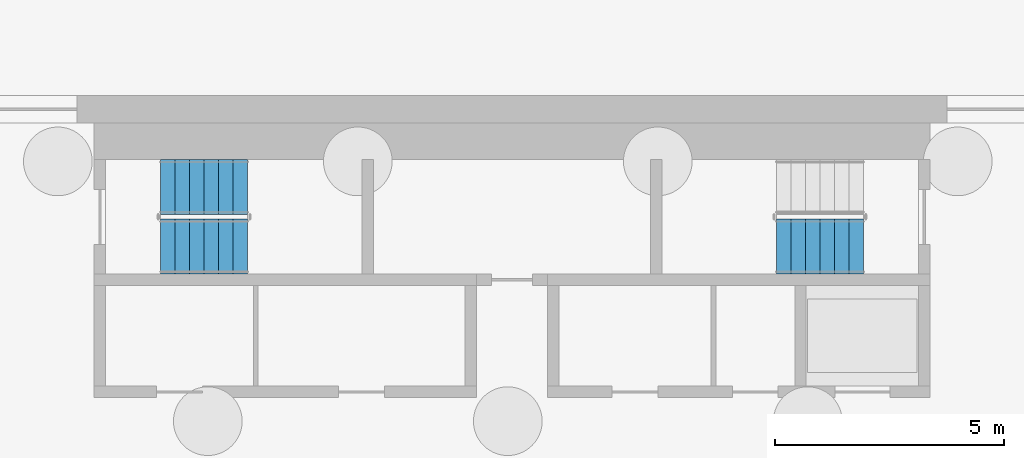
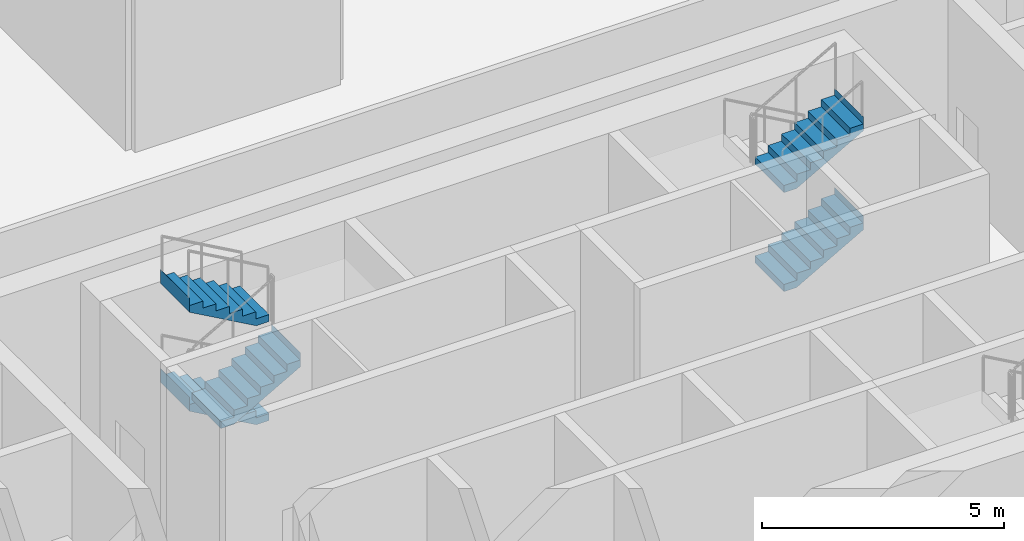
# One storey, part 14 of 19: 5 stair flights, 2 elements without a shape of their own.
"""IFC4 building model written with IfcOpenShell, lengths in metres."""

from ifc_helpers import new_model, si_unit, direction, frame, origin, place, context, subcontext, project, spatial, triangles, material, type_object, element, aggregate, save


model = new_model("IFC4")

# Units and contexts
model_context = context("Model", 3, precision=1e-05, world=origin(), true_north=direction((0.0, 1.0)))
body_context = subcontext(model_context, "Body", "Model", "MODEL_VIEW")
ifc_project = project(units=[si_unit("LENGTHUNIT", "METRE"), si_unit("AREAUNIT", "SQUARE_METRE"), si_unit("VOLUMEUNIT", "CUBIC_METRE"), si_unit("PLANEANGLEUNIT", "RADIAN"), si_unit("MASSUNIT", "GRAM", prefix="KILO")], contexts=[model_context])

# Site, building, storey
site_placement = place(None, origin())
site = spatial("IfcSite", under=ifc_project, at=site_placement, CompositionType="ELEMENT")
building_placement = place(site_placement, origin())
building = spatial("IfcBuilding", under=site, at=building_placement, Name="Sahrelin Media Tower", CompositionType="ELEMENT")
storey_placement = place(building_placement, frame((0.0, 0.0, -5.0)))
storey = spatial("IfcBuildingStorey", under=building, at=storey_placement, Name="B1", CompositionType="ELEMENT", Elevation=-5.0)

# Stair, stair flights
ifc_material = material(Name="Concrete C40/50", Category="concrete")
stair_type = type_object("IfcStairType", Name="Exit stair 1200", PredefinedType="HALF_TURN_STAIR", material=ifc_material)
placement = place(storey_placement, origin())
stair_1 = element("IfcStair", 1, at=placement, inside=storey, type_object=stair_type, Name="B1 Exit stair ST1", PredefinedType="HALF_TURN_STAIR")
stair_flight_type = type_object("IfcStairFlightType", Name="Stair flight 1200", PredefinedType="STRAIGHT", material=ifc_material)
stair_flight_1_placement = place(storey_placement, frame((-5.77490234375, 6.0, 1.25), z_axis=(0.0, 0.0, 1.0), x_axis=(-1.0, 0.0, 0.0)))
stair_flight_1 = element("IfcStairFlight", 2, at=stair_flight_1_placement, type_object=stair_flight_type, Name="ST1 flight 2", NumberOfRisers=7, NumberOfTreads=6, PredefinedType="STRAIGHT", RiserHeight=0.178571429, TreadLength=0.316666667, context=body_context, shape_type="Tessellation", body=[
    triangles([(0.30517578125, 0.60009765625, 0.0), (0.30517578125, 0.300048828125, 0.0), (0.30517578125, 0.0, 0.0), (0.30517578125, -0.300048828125, 0.0), (0.30517578125, -0.60009765625, 0.0), (1.89990234375, 0.60009765625, 0.8994140625), (1.89990234375, 0.300048828125, 0.8994140625), (1.89990234375, 0.0, 0.8994140625), (1.89990234375, -0.300048828125, 0.8994140625), (1.89990234375, -0.60009765625, 0.8994140625), (1.89990234375, 0.60009765625, 1.25), (1.89990234375, 0.300048828125, 1.25), (1.89990234375, 0.0, 1.25), (1.89990234375, -0.300048828125, 1.25), (1.89990234375, -0.60009765625, 1.25), (1.89794921875, 0.60009765625, 1.25), (1.89794921875, 0.300048828125, 1.25), (1.89794921875, 0.0, 1.25), (1.89794921875, -0.300048828125, 1.25), (1.89794921875, -0.60009765625, 1.25), (1.89794921875, 0.60009765625, 1.071533203125), (1.89794921875, 0.300048828125, 1.071533203125), (1.89794921875, 0.0, 1.071533203125), (1.89794921875, -0.300048828125, 1.071533203125), (1.89794921875, -0.60009765625, 1.071533203125), (1.583251953125, 0.60009765625, 1.071533203125), (1.583251953125, 0.300048828125, 1.071533203125), (1.583251953125, 0.0, 1.071533203125), (1.583251953125, -0.300048828125, 1.071533203125), (1.583251953125, -0.60009765625, 1.071533203125), (1.583251953125, 0.60009765625, 0.892822265625), (1.583251953125, 0.300048828125, 0.892822265625), (1.583251953125, 0.0, 0.892822265625), (1.583251953125, -0.300048828125, 0.892822265625), (1.583251953125, -0.60009765625, 0.892822265625), (1.2666015625, 0.60009765625, 0.892822265625), (1.2666015625, 0.300048828125, 0.892822265625), (1.2666015625, 0.0, 0.892822265625), (1.2666015625, -0.300048828125, 0.892822265625), (1.2666015625, -0.60009765625, 0.892822265625), (1.2666015625, 0.60009765625, 0.71435546875), (1.2666015625, 0.300048828125, 0.71435546875), (1.2666015625, 0.0, 0.71435546875), (1.2666015625, -0.300048828125, 0.71435546875), (1.2666015625, -0.60009765625, 0.71435546875), (0.949951171875, 0.60009765625, 0.71435546875), (0.949951171875, 0.300048828125, 0.71435546875), (0.949951171875, 0.0, 0.71435546875), (0.949951171875, -0.300048828125, 0.71435546875), (0.949951171875, -0.60009765625, 0.71435546875), (0.949951171875, 0.60009765625, 0.53564453125), (0.949951171875, 0.300048828125, 0.53564453125), (0.949951171875, 0.0, 0.53564453125), (0.949951171875, -0.300048828125, 0.53564453125), (0.949951171875, -0.60009765625, 0.53564453125), (0.63330078125, 0.60009765625, 0.53564453125), (0.63330078125, 0.300048828125, 0.53564453125), (0.63330078125, 0.0, 0.53564453125), (0.63330078125, -0.300048828125, 0.53564453125), (0.63330078125, -0.60009765625, 0.53564453125), (0.63330078125, 0.60009765625, 0.357177734375), (0.63330078125, 0.300048828125, 0.357177734375), (0.63330078125, 0.0, 0.357177734375), (0.63330078125, -0.300048828125, 0.357177734375), (0.63330078125, -0.60009765625, 0.357177734375), (0.316650390625, 0.60009765625, 0.357177734375), (0.316650390625, 0.300048828125, 0.357177734375), (0.316650390625, 0.0, 0.357177734375), (0.316650390625, -0.300048828125, 0.357177734375), (0.316650390625, -0.60009765625, 0.357177734375), (0.316650390625, 0.60009765625, 0.178466796875), (0.316650390625, 0.300048828125, 0.178466796875), (0.316650390625, 0.0, 0.178466796875), (0.316650390625, -0.300048828125, 0.178466796875), (0.316650390625, -0.60009765625, 0.178466796875), (0.0, 0.60009765625, 0.178466796875), (0.0, 0.300048828125, 0.178466796875), (0.0, 0.0, 0.178466796875), (0.0, -0.300048828125, 0.178466796875), (0.0, -0.60009765625, 0.178466796875), (0.0, 0.60009765625, 0.0), (0.0, 0.300048828125, 0.0), (0.0, 0.0, 0.0), (0.0, -0.300048828125, 0.0), (0.0, -0.60009765625, 0.0)], [[1, 6, 7], [1, 7, 2], [2, 7, 8], [2, 8, 3], [3, 8, 9], [3, 9, 4], [4, 9, 10], [4, 10, 5], [6, 11, 12], [6, 12, 7], [7, 12, 13], [7, 13, 8], [8, 13, 14], [8, 14, 9], [9, 14, 15], [9, 15, 10], [11, 16, 17], [11, 17, 12], [12, 17, 18], [12, 18, 13], [13, 18, 19], [13, 19, 14], [14, 19, 20], [14, 20, 15], [16, 21, 22], [16, 22, 17], [17, 22, 23], [17, 23, 18], [18, 23, 24], [18, 24, 19], [19, 24, 25], [19, 25, 20], [21, 26, 27], [21, 27, 22], [22, 27, 28], [22, 28, 23], [23, 28, 29], [23, 29, 24], [24, 29, 30], [24, 30, 25], [26, 31, 32], [26, 32, 27], [27, 32, 33], [27, 33, 28], [28, 33, 34], [28, 34, 29], [29, 34, 35], [29, 35, 30], [31, 36, 37], [31, 37, 32], [32, 37, 38], [32, 38, 33], [33, 38, 39], [33, 39, 34], [34, 39, 40], [34, 40, 35], [36, 41, 42], [36, 42, 37], [37, 42, 43], [37, 43, 38], [38, 43, 44], [38, 44, 39], [39, 44, 45], [39, 45, 40], [41, 46, 47], [41, 47, 42], [42, 47, 48], [42, 48, 43], [43, 48, 49], [43, 49, 44], [44, 49, 50], [44, 50, 45], [46, 51, 52], [46, 52, 47], [47, 52, 53], [47, 53, 48], [48, 53, 54], [48, 54, 49], [49, 54, 55], [49, 55, 50], [51, 56, 57], [51, 57, 52], [52, 57, 58], [52, 58, 53], [53, 58, 59], [53, 59, 54], [54, 59, 60], [54, 60, 55], [56, 61, 62], [56, 62, 57], [57, 62, 63], [57, 63, 58], [58, 63, 64], [58, 64, 59], [59, 64, 65], [59, 65, 60], [61, 66, 67], [61, 67, 62], [62, 67, 68], [62, 68, 63], [63, 68, 69], [63, 69, 64], [64, 69, 70], [64, 70, 65], [66, 71, 72], [66, 72, 67], [67, 72, 73], [67, 73, 68], [68, 73, 74], [68, 74, 69], [69, 74, 75], [69, 75, 70], [71, 76, 77], [71, 77, 72], [72, 77, 78], [72, 78, 73], [73, 78, 79], [73, 79, 74], [74, 79, 80], [74, 80, 75], [76, 81, 82], [76, 82, 77], [77, 82, 83], [77, 83, 78], [78, 83, 84], [78, 84, 79], [79, 84, 85], [79, 85, 80], [81, 1, 2], [81, 2, 82], [82, 2, 3], [82, 3, 83], [83, 3, 4], [83, 4, 84], [84, 4, 5], [84, 5, 85], [5, 80, 85], [1, 81, 76], [75, 65, 70], [71, 66, 61], [65, 55, 60], [61, 56, 51], [55, 45, 50], [51, 46, 41], [45, 35, 40], [41, 36, 31], [10, 25, 30], [6, 26, 21], [25, 15, 20], [21, 16, 11], [5, 75, 80], [1, 76, 71], [25, 10, 15], [21, 11, 6], [65, 75, 5], [61, 1, 71], [30, 35, 10], [26, 6, 31], [55, 65, 5], [51, 1, 61], [45, 10, 35], [41, 31, 6], [5, 10, 55], [1, 51, 6], [55, 10, 45], [51, 41, 6]], closed=True),
])
stair_flight_2_placement = place(storey_placement, frame((-7.675048828125, 4.699951171875, 2.5), z_axis=(0.0, 0.0, 1.0), x_axis=(1.0, 0.0, 0.0)))
stair_flight_2 = element("IfcStairFlight", 3, at=stair_flight_2_placement, type_object=stair_flight_type, Name="ST1 flight 3", NumberOfRisers=7, NumberOfTreads=6, PredefinedType="STRAIGHT", RiserHeight=0.178571429, TreadLength=0.316666667, context=body_context, shape_type="Tessellation", body=[
    triangles([(0.30517578125, 0.60009765625, 0.0), (0.30517578125, 0.300048828125, 0.0), (0.30517578125, 0.0, 0.0), (0.30517578125, -0.300048828125, 0.0), (0.30517578125, -0.60009765625, 0.0), (1.89990234375, 0.60009765625, 0.8994140625), (1.89990234375, 0.300048828125, 0.8994140625), (1.89990234375, 0.0, 0.8994140625), (1.89990234375, -0.300048828125, 0.8994140625), (1.89990234375, -0.60009765625, 0.8994140625), (1.89990234375, 0.60009765625, 1.25), (1.89990234375, 0.300048828125, 1.25), (1.89990234375, 0.0, 1.25), (1.89990234375, -0.300048828125, 1.25), (1.89990234375, -0.60009765625, 1.25), (1.89794921875, 0.60009765625, 1.25), (1.89794921875, 0.300048828125, 1.25), (1.89794921875, 0.0, 1.25), (1.89794921875, -0.300048828125, 1.25), (1.89794921875, -0.60009765625, 1.25), (1.89794921875, 0.60009765625, 1.071533203125), (1.89794921875, 0.300048828125, 1.071533203125), (1.89794921875, 0.0, 1.071533203125), (1.89794921875, -0.300048828125, 1.071533203125), (1.89794921875, -0.60009765625, 1.071533203125), (1.583251953125, 0.60009765625, 1.071533203125), (1.583251953125, 0.300048828125, 1.071533203125), (1.583251953125, 0.0, 1.071533203125), (1.583251953125, -0.300048828125, 1.071533203125), (1.583251953125, -0.60009765625, 1.071533203125), (1.583251953125, 0.60009765625, 0.892822265625), (1.583251953125, 0.300048828125, 0.892822265625), (1.583251953125, 0.0, 0.892822265625), (1.583251953125, -0.300048828125, 0.892822265625), (1.583251953125, -0.60009765625, 0.892822265625), (1.2666015625, 0.60009765625, 0.892822265625), (1.2666015625, 0.300048828125, 0.892822265625), (1.2666015625, 0.0, 0.892822265625), (1.2666015625, -0.300048828125, 0.892822265625), (1.2666015625, -0.60009765625, 0.892822265625), (1.2666015625, 0.60009765625, 0.71435546875), (1.2666015625, 0.300048828125, 0.71435546875), (1.2666015625, 0.0, 0.71435546875), (1.2666015625, -0.300048828125, 0.71435546875), (1.2666015625, -0.60009765625, 0.71435546875), (0.949951171875, 0.60009765625, 0.71435546875), (0.949951171875, 0.300048828125, 0.71435546875), (0.949951171875, 0.0, 0.71435546875), (0.949951171875, -0.300048828125, 0.71435546875), (0.949951171875, -0.60009765625, 0.71435546875), (0.949951171875, 0.60009765625, 0.53564453125), (0.949951171875, 0.300048828125, 0.53564453125), (0.949951171875, 0.0, 0.53564453125), (0.949951171875, -0.300048828125, 0.53564453125), (0.949951171875, -0.60009765625, 0.53564453125), (0.63330078125, 0.60009765625, 0.53564453125), (0.63330078125, 0.300048828125, 0.53564453125), (0.63330078125, 0.0, 0.53564453125), (0.63330078125, -0.300048828125, 0.53564453125), (0.63330078125, -0.60009765625, 0.53564453125), (0.63330078125, 0.60009765625, 0.357177734375), (0.63330078125, 0.300048828125, 0.357177734375), (0.63330078125, 0.0, 0.357177734375), (0.63330078125, -0.300048828125, 0.357177734375), (0.63330078125, -0.60009765625, 0.357177734375), (0.316650390625, 0.60009765625, 0.357177734375), (0.316650390625, 0.300048828125, 0.357177734375), (0.316650390625, 0.0, 0.357177734375), (0.316650390625, -0.300048828125, 0.357177734375), (0.316650390625, -0.60009765625, 0.357177734375), (0.316650390625, 0.60009765625, 0.178466796875), (0.316650390625, 0.300048828125, 0.178466796875), (0.316650390625, 0.0, 0.178466796875), (0.316650390625, -0.300048828125, 0.178466796875), (0.316650390625, -0.60009765625, 0.178466796875), (0.0, 0.60009765625, 0.178466796875), (0.0, 0.300048828125, 0.178466796875), (0.0, 0.0, 0.178466796875), (0.0, -0.300048828125, 0.178466796875), (0.0, -0.60009765625, 0.178466796875), (0.0, 0.60009765625, 0.0), (0.0, 0.300048828125, 0.0), (0.0, 0.0, 0.0), (0.0, -0.300048828125, 0.0), (0.0, -0.60009765625, 0.0)], [[1, 6, 7], [1, 7, 2], [2, 7, 8], [2, 8, 3], [3, 8, 9], [3, 9, 4], [4, 9, 10], [4, 10, 5], [6, 11, 12], [6, 12, 7], [7, 12, 13], [7, 13, 8], [8, 13, 14], [8, 14, 9], [9, 14, 15], [9, 15, 10], [11, 16, 17], [11, 17, 12], [12, 17, 18], [12, 18, 13], [13, 18, 19], [13, 19, 14], [14, 19, 20], [14, 20, 15], [16, 21, 22], [16, 22, 17], [17, 22, 23], [17, 23, 18], [18, 23, 24], [18, 24, 19], [19, 24, 25], [19, 25, 20], [21, 26, 27], [21, 27, 22], [22, 27, 28], [22, 28, 23], [23, 28, 29], [23, 29, 24], [24, 29, 30], [24, 30, 25], [26, 31, 32], [26, 32, 27], [27, 32, 33], [27, 33, 28], [28, 33, 34], [28, 34, 29], [29, 34, 35], [29, 35, 30], [31, 36, 37], [31, 37, 32], [32, 37, 38], [32, 38, 33], [33, 38, 39], [33, 39, 34], [34, 39, 40], [34, 40, 35], [36, 41, 42], [36, 42, 37], [37, 42, 43], [37, 43, 38], [38, 43, 44], [38, 44, 39], [39, 44, 45], [39, 45, 40], [41, 46, 47], [41, 47, 42], [42, 47, 48], [42, 48, 43], [43, 48, 49], [43, 49, 44], [44, 49, 50], [44, 50, 45], [46, 51, 52], [46, 52, 47], [47, 52, 53], [47, 53, 48], [48, 53, 54], [48, 54, 49], [49, 54, 55], [49, 55, 50], [51, 56, 57], [51, 57, 52], [52, 57, 58], [52, 58, 53], [53, 58, 59], [53, 59, 54], [54, 59, 60], [54, 60, 55], [56, 61, 62], [56, 62, 57], [57, 62, 63], [57, 63, 58], [58, 63, 64], [58, 64, 59], [59, 64, 65], [59, 65, 60], [61, 66, 67], [61, 67, 62], [62, 67, 68], [62, 68, 63], [63, 68, 69], [63, 69, 64], [64, 69, 70], [64, 70, 65], [66, 71, 72], [66, 72, 67], [67, 72, 73], [67, 73, 68], [68, 73, 74], [68, 74, 69], [69, 74, 75], [69, 75, 70], [71, 76, 77], [71, 77, 72], [72, 77, 78], [72, 78, 73], [73, 78, 79], [73, 79, 74], [74, 79, 80], [74, 80, 75], [76, 81, 82], [76, 82, 77], [77, 82, 83], [77, 83, 78], [78, 83, 84], [78, 84, 79], [79, 84, 85], [79, 85, 80], [81, 1, 2], [81, 2, 82], [82, 2, 3], [82, 3, 83], [83, 3, 4], [83, 4, 84], [84, 4, 5], [84, 5, 85], [5, 80, 85], [1, 81, 76], [75, 65, 70], [71, 66, 61], [65, 55, 60], [61, 56, 51], [55, 45, 50], [51, 46, 41], [45, 35, 40], [41, 36, 31], [10, 25, 30], [6, 26, 21], [25, 15, 20], [21, 16, 11], [5, 75, 80], [1, 76, 71], [25, 10, 15], [21, 11, 6], [65, 75, 5], [61, 1, 71], [30, 35, 10], [26, 6, 31], [55, 65, 5], [51, 1, 61], [45, 10, 35], [41, 31, 6], [5, 10, 55], [1, 51, 6], [55, 10, 45], [51, 41, 6]], closed=True),
])
stair_flight_3_placement = place(storey_placement, frame((-5.77490234375, 6.0, 3.75), z_axis=(0.0, 0.0, 1.0), x_axis=(-1.0, 0.0, 0.0)))
stair_flight_3 = element("IfcStairFlight", 4, at=stair_flight_3_placement, type_object=stair_flight_type, Name="ST1 flight 4", NumberOfRisers=7, NumberOfTreads=6, PredefinedType="STRAIGHT", RiserHeight=0.178571429, TreadLength=0.316666667, context=body_context, shape_type="Tessellation", body=[
    triangles([(0.30517578125, 0.60009765625, 0.0), (0.30517578125, 0.300048828125, 0.0), (0.30517578125, 0.0, 0.0), (0.30517578125, -0.300048828125, 0.0), (0.30517578125, -0.60009765625, 0.0), (1.89990234375, 0.60009765625, 0.8994140625), (1.89990234375, 0.300048828125, 0.8994140625), (1.89990234375, 0.0, 0.8994140625), (1.89990234375, -0.300048828125, 0.8994140625), (1.89990234375, -0.60009765625, 0.8994140625), (1.89990234375, 0.60009765625, 1.25), (1.89990234375, 0.300048828125, 1.25), (1.89990234375, 0.0, 1.25), (1.89990234375, -0.300048828125, 1.25), (1.89990234375, -0.60009765625, 1.25), (1.89794921875, 0.60009765625, 1.25), (1.89794921875, 0.300048828125, 1.25), (1.89794921875, 0.0, 1.25), (1.89794921875, -0.300048828125, 1.25), (1.89794921875, -0.60009765625, 1.25), (1.89794921875, 0.60009765625, 1.071533203125), (1.89794921875, 0.300048828125, 1.071533203125), (1.89794921875, 0.0, 1.071533203125), (1.89794921875, -0.300048828125, 1.071533203125), (1.89794921875, -0.60009765625, 1.071533203125), (1.583251953125, 0.60009765625, 1.071533203125), (1.583251953125, 0.300048828125, 1.071533203125), (1.583251953125, 0.0, 1.071533203125), (1.583251953125, -0.300048828125, 1.071533203125), (1.583251953125, -0.60009765625, 1.071533203125), (1.583251953125, 0.60009765625, 0.892822265625), (1.583251953125, 0.300048828125, 0.892822265625), (1.583251953125, 0.0, 0.892822265625), (1.583251953125, -0.300048828125, 0.892822265625), (1.583251953125, -0.60009765625, 0.892822265625), (1.2666015625, 0.60009765625, 0.892822265625), (1.2666015625, 0.300048828125, 0.892822265625), (1.2666015625, 0.0, 0.892822265625), (1.2666015625, -0.300048828125, 0.892822265625), (1.2666015625, -0.60009765625, 0.892822265625), (1.2666015625, 0.60009765625, 0.71435546875), (1.2666015625, 0.300048828125, 0.71435546875), (1.2666015625, 0.0, 0.71435546875), (1.2666015625, -0.300048828125, 0.71435546875), (1.2666015625, -0.60009765625, 0.71435546875), (0.949951171875, 0.60009765625, 0.71435546875), (0.949951171875, 0.300048828125, 0.71435546875), (0.949951171875, 0.0, 0.71435546875), (0.949951171875, -0.300048828125, 0.71435546875), (0.949951171875, -0.60009765625, 0.71435546875), (0.949951171875, 0.60009765625, 0.53564453125), (0.949951171875, 0.300048828125, 0.53564453125), (0.949951171875, 0.0, 0.53564453125), (0.949951171875, -0.300048828125, 0.53564453125), (0.949951171875, -0.60009765625, 0.53564453125), (0.63330078125, 0.60009765625, 0.53564453125), (0.63330078125, 0.300048828125, 0.53564453125), (0.63330078125, 0.0, 0.53564453125), (0.63330078125, -0.300048828125, 0.53564453125), (0.63330078125, -0.60009765625, 0.53564453125), (0.63330078125, 0.60009765625, 0.357177734375), (0.63330078125, 0.300048828125, 0.357177734375), (0.63330078125, 0.0, 0.357177734375), (0.63330078125, -0.300048828125, 0.357177734375), (0.63330078125, -0.60009765625, 0.357177734375), (0.316650390625, 0.60009765625, 0.357177734375), (0.316650390625, 0.300048828125, 0.357177734375), (0.316650390625, 0.0, 0.357177734375), (0.316650390625, -0.300048828125, 0.357177734375), (0.316650390625, -0.60009765625, 0.357177734375), (0.316650390625, 0.60009765625, 0.178466796875), (0.316650390625, 0.300048828125, 0.178466796875), (0.316650390625, 0.0, 0.178466796875), (0.316650390625, -0.300048828125, 0.178466796875), (0.316650390625, -0.60009765625, 0.178466796875), (0.0, 0.60009765625, 0.178466796875), (0.0, 0.300048828125, 0.178466796875), (0.0, 0.0, 0.178466796875), (0.0, -0.300048828125, 0.178466796875), (0.0, -0.60009765625, 0.178466796875), (0.0, 0.60009765625, 0.0), (0.0, 0.300048828125, 0.0), (0.0, 0.0, 0.0), (0.0, -0.300048828125, 0.0), (0.0, -0.60009765625, 0.0)], [[1, 6, 7], [1, 7, 2], [2, 7, 8], [2, 8, 3], [3, 8, 9], [3, 9, 4], [4, 9, 10], [4, 10, 5], [6, 11, 12], [6, 12, 7], [7, 12, 13], [7, 13, 8], [8, 13, 14], [8, 14, 9], [9, 14, 15], [9, 15, 10], [11, 16, 17], [11, 17, 12], [12, 17, 18], [12, 18, 13], [13, 18, 19], [13, 19, 14], [14, 19, 20], [14, 20, 15], [16, 21, 22], [16, 22, 17], [17, 22, 23], [17, 23, 18], [18, 23, 24], [18, 24, 19], [19, 24, 25], [19, 25, 20], [21, 26, 27], [21, 27, 22], [22, 27, 28], [22, 28, 23], [23, 28, 29], [23, 29, 24], [24, 29, 30], [24, 30, 25], [26, 31, 32], [26, 32, 27], [27, 32, 33], [27, 33, 28], [28, 33, 34], [28, 34, 29], [29, 34, 35], [29, 35, 30], [31, 36, 37], [31, 37, 32], [32, 37, 38], [32, 38, 33], [33, 38, 39], [33, 39, 34], [34, 39, 40], [34, 40, 35], [36, 41, 42], [36, 42, 37], [37, 42, 43], [37, 43, 38], [38, 43, 44], [38, 44, 39], [39, 44, 45], [39, 45, 40], [41, 46, 47], [41, 47, 42], [42, 47, 48], [42, 48, 43], [43, 48, 49], [43, 49, 44], [44, 49, 50], [44, 50, 45], [46, 51, 52], [46, 52, 47], [47, 52, 53], [47, 53, 48], [48, 53, 54], [48, 54, 49], [49, 54, 55], [49, 55, 50], [51, 56, 57], [51, 57, 52], [52, 57, 58], [52, 58, 53], [53, 58, 59], [53, 59, 54], [54, 59, 60], [54, 60, 55], [56, 61, 62], [56, 62, 57], [57, 62, 63], [57, 63, 58], [58, 63, 64], [58, 64, 59], [59, 64, 65], [59, 65, 60], [61, 66, 67], [61, 67, 62], [62, 67, 68], [62, 68, 63], [63, 68, 69], [63, 69, 64], [64, 69, 70], [64, 70, 65], [66, 71, 72], [66, 72, 67], [67, 72, 73], [67, 73, 68], [68, 73, 74], [68, 74, 69], [69, 74, 75], [69, 75, 70], [71, 76, 77], [71, 77, 72], [72, 77, 78], [72, 78, 73], [73, 78, 79], [73, 79, 74], [74, 79, 80], [74, 80, 75], [76, 81, 82], [76, 82, 77], [77, 82, 83], [77, 83, 78], [78, 83, 84], [78, 84, 79], [79, 84, 85], [79, 85, 80], [81, 1, 2], [81, 2, 82], [82, 2, 3], [82, 3, 83], [83, 3, 4], [83, 4, 84], [84, 4, 5], [84, 5, 85], [5, 80, 85], [1, 81, 76], [75, 65, 70], [71, 66, 61], [65, 55, 60], [61, 56, 51], [55, 45, 50], [51, 46, 41], [45, 35, 40], [41, 36, 31], [10, 25, 30], [6, 26, 21], [25, 15, 20], [21, 16, 11], [5, 75, 80], [1, 76, 71], [25, 10, 15], [21, 11, 6], [65, 75, 5], [61, 1, 71], [30, 35, 10], [26, 6, 31], [55, 65, 5], [51, 1, 61], [45, 10, 35], [41, 31, 6], [5, 10, 55], [1, 51, 6], [55, 10, 45], [51, 41, 6]], closed=True),
])
aggregate(stair_1, [stair_flight_1, stair_flight_2, stair_flight_3])

stair_2 = element("IfcStair", 5, at=placement, inside=storey, type_object=stair_type, Name="B1 Exit stair ST3", PredefinedType="HALF_TURN_STAIR")
stair_flight_4_placement = place(storey_placement, frame((5.77490234375, 4.699951171875, 1.25), z_axis=(0.0, 0.0, 1.0), x_axis=(1.0, 0.0, 0.0)))
stair_flight_4 = element("IfcStairFlight", 6, at=stair_flight_4_placement, type_object=stair_flight_type, Name="ST3 flight 2", NumberOfRisers=7, NumberOfTreads=6, PredefinedType="STRAIGHT", RiserHeight=0.178571429, TreadLength=0.316666667, context=body_context, shape_type="Tessellation", body=[
    triangles([(0.30517578125, 0.60009765625, 0.0), (0.30517578125, 0.300048828125, 0.0), (0.30517578125, 0.0, 0.0), (0.30517578125, -0.300048828125, 0.0), (0.30517578125, -0.60009765625, 0.0), (1.89990234375, 0.60009765625, 0.8994140625), (1.89990234375, 0.300048828125, 0.8994140625), (1.89990234375, 0.0, 0.8994140625), (1.89990234375, -0.300048828125, 0.8994140625), (1.89990234375, -0.60009765625, 0.8994140625), (1.89990234375, 0.60009765625, 1.25), (1.89990234375, 0.300048828125, 1.25), (1.89990234375, 0.0, 1.25), (1.89990234375, -0.300048828125, 1.25), (1.89990234375, -0.60009765625, 1.25), (1.89794921875, 0.60009765625, 1.25), (1.89794921875, 0.300048828125, 1.25), (1.89794921875, 0.0, 1.25), (1.89794921875, -0.300048828125, 1.25), (1.89794921875, -0.60009765625, 1.25), (1.89794921875, 0.60009765625, 1.071533203125), (1.89794921875, 0.300048828125, 1.071533203125), (1.89794921875, 0.0, 1.071533203125), (1.89794921875, -0.300048828125, 1.071533203125), (1.89794921875, -0.60009765625, 1.071533203125), (1.583251953125, 0.60009765625, 1.071533203125), (1.583251953125, 0.300048828125, 1.071533203125), (1.583251953125, 0.0, 1.071533203125), (1.583251953125, -0.300048828125, 1.071533203125), (1.583251953125, -0.60009765625, 1.071533203125), (1.583251953125, 0.60009765625, 0.892822265625), (1.583251953125, 0.300048828125, 0.892822265625), (1.583251953125, 0.0, 0.892822265625), (1.583251953125, -0.300048828125, 0.892822265625), (1.583251953125, -0.60009765625, 0.892822265625), (1.2666015625, 0.60009765625, 0.892822265625), (1.2666015625, 0.300048828125, 0.892822265625), (1.2666015625, 0.0, 0.892822265625), (1.2666015625, -0.300048828125, 0.892822265625), (1.2666015625, -0.60009765625, 0.892822265625), (1.2666015625, 0.60009765625, 0.71435546875), (1.2666015625, 0.300048828125, 0.71435546875), (1.2666015625, 0.0, 0.71435546875), (1.2666015625, -0.300048828125, 0.71435546875), (1.2666015625, -0.60009765625, 0.71435546875), (0.949951171875, 0.60009765625, 0.71435546875), (0.949951171875, 0.300048828125, 0.71435546875), (0.949951171875, 0.0, 0.71435546875), (0.949951171875, -0.300048828125, 0.71435546875), (0.949951171875, -0.60009765625, 0.71435546875), (0.949951171875, 0.60009765625, 0.53564453125), (0.949951171875, 0.300048828125, 0.53564453125), (0.949951171875, 0.0, 0.53564453125), (0.949951171875, -0.300048828125, 0.53564453125), (0.949951171875, -0.60009765625, 0.53564453125), (0.63330078125, 0.60009765625, 0.53564453125), (0.63330078125, 0.300048828125, 0.53564453125), (0.63330078125, 0.0, 0.53564453125), (0.63330078125, -0.300048828125, 0.53564453125), (0.63330078125, -0.60009765625, 0.53564453125), (0.63330078125, 0.60009765625, 0.357177734375), (0.63330078125, 0.300048828125, 0.357177734375), (0.63330078125, 0.0, 0.357177734375), (0.63330078125, -0.300048828125, 0.357177734375), (0.63330078125, -0.60009765625, 0.357177734375), (0.316650390625, 0.60009765625, 0.357177734375), (0.316650390625, 0.300048828125, 0.357177734375), (0.316650390625, 0.0, 0.357177734375), (0.316650390625, -0.300048828125, 0.357177734375), (0.316650390625, -0.60009765625, 0.357177734375), (0.316650390625, 0.60009765625, 0.178466796875), (0.316650390625, 0.300048828125, 0.178466796875), (0.316650390625, 0.0, 0.178466796875), (0.316650390625, -0.300048828125, 0.178466796875), (0.316650390625, -0.60009765625, 0.178466796875), (0.0, 0.60009765625, 0.178466796875), (0.0, 0.300048828125, 0.178466796875), (0.0, 0.0, 0.178466796875), (0.0, -0.300048828125, 0.178466796875), (0.0, -0.60009765625, 0.178466796875), (0.0, 0.60009765625, 0.0), (0.0, 0.300048828125, 0.0), (0.0, 0.0, 0.0), (0.0, -0.300048828125, 0.0), (0.0, -0.60009765625, 0.0)], [[1, 6, 7], [1, 7, 2], [2, 7, 8], [2, 8, 3], [3, 8, 9], [3, 9, 4], [4, 9, 10], [4, 10, 5], [6, 11, 12], [6, 12, 7], [7, 12, 13], [7, 13, 8], [8, 13, 14], [8, 14, 9], [9, 14, 15], [9, 15, 10], [11, 16, 17], [11, 17, 12], [12, 17, 18], [12, 18, 13], [13, 18, 19], [13, 19, 14], [14, 19, 20], [14, 20, 15], [16, 21, 22], [16, 22, 17], [17, 22, 23], [17, 23, 18], [18, 23, 24], [18, 24, 19], [19, 24, 25], [19, 25, 20], [21, 26, 27], [21, 27, 22], [22, 27, 28], [22, 28, 23], [23, 28, 29], [23, 29, 24], [24, 29, 30], [24, 30, 25], [26, 31, 32], [26, 32, 27], [27, 32, 33], [27, 33, 28], [28, 33, 34], [28, 34, 29], [29, 34, 35], [29, 35, 30], [31, 36, 37], [31, 37, 32], [32, 37, 38], [32, 38, 33], [33, 38, 39], [33, 39, 34], [34, 39, 40], [34, 40, 35], [36, 41, 42], [36, 42, 37], [37, 42, 43], [37, 43, 38], [38, 43, 44], [38, 44, 39], [39, 44, 45], [39, 45, 40], [41, 46, 47], [41, 47, 42], [42, 47, 48], [42, 48, 43], [43, 48, 49], [43, 49, 44], [44, 49, 50], [44, 50, 45], [46, 51, 52], [46, 52, 47], [47, 52, 53], [47, 53, 48], [48, 53, 54], [48, 54, 49], [49, 54, 55], [49, 55, 50], [51, 56, 57], [51, 57, 52], [52, 57, 58], [52, 58, 53], [53, 58, 59], [53, 59, 54], [54, 59, 60], [54, 60, 55], [56, 61, 62], [56, 62, 57], [57, 62, 63], [57, 63, 58], [58, 63, 64], [58, 64, 59], [59, 64, 65], [59, 65, 60], [61, 66, 67], [61, 67, 62], [62, 67, 68], [62, 68, 63], [63, 68, 69], [63, 69, 64], [64, 69, 70], [64, 70, 65], [66, 71, 72], [66, 72, 67], [67, 72, 73], [67, 73, 68], [68, 73, 74], [68, 74, 69], [69, 74, 75], [69, 75, 70], [71, 76, 77], [71, 77, 72], [72, 77, 78], [72, 78, 73], [73, 78, 79], [73, 79, 74], [74, 79, 80], [74, 80, 75], [76, 81, 82], [76, 82, 77], [77, 82, 83], [77, 83, 78], [78, 83, 84], [78, 84, 79], [79, 84, 85], [79, 85, 80], [81, 1, 2], [81, 2, 82], [82, 2, 3], [82, 3, 83], [83, 3, 4], [83, 4, 84], [84, 4, 5], [84, 5, 85], [5, 80, 85], [1, 81, 76], [75, 65, 70], [71, 66, 61], [65, 55, 60], [61, 56, 51], [55, 45, 50], [51, 46, 41], [45, 35, 40], [41, 36, 31], [10, 25, 30], [6, 26, 21], [25, 15, 20], [21, 16, 11], [5, 75, 80], [1, 76, 71], [25, 10, 15], [21, 11, 6], [65, 75, 5], [61, 1, 71], [30, 35, 10], [26, 6, 31], [55, 65, 5], [51, 1, 61], [45, 10, 35], [41, 31, 6], [5, 10, 55], [1, 51, 6], [55, 10, 45], [51, 41, 6]], closed=True),
])
stair_flight_5_placement = place(storey_placement, frame((5.77490234375, 4.699951171875, 3.75), z_axis=(0.0, 0.0, 1.0), x_axis=(1.0, 0.0, 0.0)))
stair_flight_5 = element("IfcStairFlight", 7, at=stair_flight_5_placement, type_object=stair_flight_type, Name="ST3 flight 4", NumberOfRisers=7, NumberOfTreads=6, PredefinedType="STRAIGHT", RiserHeight=0.178571429, TreadLength=0.316666667, context=body_context, shape_type="Tessellation", body=[
    triangles([(0.30517578125, 0.60009765625, 0.0), (0.30517578125, 0.300048828125, 0.0), (0.30517578125, 0.0, 0.0), (0.30517578125, -0.300048828125, 0.0), (0.30517578125, -0.60009765625, 0.0), (1.89990234375, 0.60009765625, 0.8994140625), (1.89990234375, 0.300048828125, 0.8994140625), (1.89990234375, 0.0, 0.8994140625), (1.89990234375, -0.300048828125, 0.8994140625), (1.89990234375, -0.60009765625, 0.8994140625), (1.89990234375, 0.60009765625, 1.25), (1.89990234375, 0.300048828125, 1.25), (1.89990234375, 0.0, 1.25), (1.89990234375, -0.300048828125, 1.25), (1.89990234375, -0.60009765625, 1.25), (1.89794921875, 0.60009765625, 1.25), (1.89794921875, 0.300048828125, 1.25), (1.89794921875, 0.0, 1.25), (1.89794921875, -0.300048828125, 1.25), (1.89794921875, -0.60009765625, 1.25), (1.89794921875, 0.60009765625, 1.071533203125), (1.89794921875, 0.300048828125, 1.071533203125), (1.89794921875, 0.0, 1.071533203125), (1.89794921875, -0.300048828125, 1.071533203125), (1.89794921875, -0.60009765625, 1.071533203125), (1.583251953125, 0.60009765625, 1.071533203125), (1.583251953125, 0.300048828125, 1.071533203125), (1.583251953125, 0.0, 1.071533203125), (1.583251953125, -0.300048828125, 1.071533203125), (1.583251953125, -0.60009765625, 1.071533203125), (1.583251953125, 0.60009765625, 0.892822265625), (1.583251953125, 0.300048828125, 0.892822265625), (1.583251953125, 0.0, 0.892822265625), (1.583251953125, -0.300048828125, 0.892822265625), (1.583251953125, -0.60009765625, 0.892822265625), (1.2666015625, 0.60009765625, 0.892822265625), (1.2666015625, 0.300048828125, 0.892822265625), (1.2666015625, 0.0, 0.892822265625), (1.2666015625, -0.300048828125, 0.892822265625), (1.2666015625, -0.60009765625, 0.892822265625), (1.2666015625, 0.60009765625, 0.71435546875), (1.2666015625, 0.300048828125, 0.71435546875), (1.2666015625, 0.0, 0.71435546875), (1.2666015625, -0.300048828125, 0.71435546875), (1.2666015625, -0.60009765625, 0.71435546875), (0.949951171875, 0.60009765625, 0.71435546875), (0.949951171875, 0.300048828125, 0.71435546875), (0.949951171875, 0.0, 0.71435546875), (0.949951171875, -0.300048828125, 0.71435546875), (0.949951171875, -0.60009765625, 0.71435546875), (0.949951171875, 0.60009765625, 0.53564453125), (0.949951171875, 0.300048828125, 0.53564453125), (0.949951171875, 0.0, 0.53564453125), (0.949951171875, -0.300048828125, 0.53564453125), (0.949951171875, -0.60009765625, 0.53564453125), (0.63330078125, 0.60009765625, 0.53564453125), (0.63330078125, 0.300048828125, 0.53564453125), (0.63330078125, 0.0, 0.53564453125), (0.63330078125, -0.300048828125, 0.53564453125), (0.63330078125, -0.60009765625, 0.53564453125), (0.63330078125, 0.60009765625, 0.357177734375), (0.63330078125, 0.300048828125, 0.357177734375), (0.63330078125, 0.0, 0.357177734375), (0.63330078125, -0.300048828125, 0.357177734375), (0.63330078125, -0.60009765625, 0.357177734375), (0.316650390625, 0.60009765625, 0.357177734375), (0.316650390625, 0.300048828125, 0.357177734375), (0.316650390625, 0.0, 0.357177734375), (0.316650390625, -0.300048828125, 0.357177734375), (0.316650390625, -0.60009765625, 0.357177734375), (0.316650390625, 0.60009765625, 0.178466796875), (0.316650390625, 0.300048828125, 0.178466796875), (0.316650390625, 0.0, 0.178466796875), (0.316650390625, -0.300048828125, 0.178466796875), (0.316650390625, -0.60009765625, 0.178466796875), (0.0, 0.60009765625, 0.178466796875), (0.0, 0.300048828125, 0.178466796875), (0.0, 0.0, 0.178466796875), (0.0, -0.300048828125, 0.178466796875), (0.0, -0.60009765625, 0.178466796875), (0.0, 0.60009765625, 0.0), (0.0, 0.300048828125, 0.0), (0.0, 0.0, 0.0), (0.0, -0.300048828125, 0.0), (0.0, -0.60009765625, 0.0)], [[1, 6, 7], [1, 7, 2], [2, 7, 8], [2, 8, 3], [3, 8, 9], [3, 9, 4], [4, 9, 10], [4, 10, 5], [6, 11, 12], [6, 12, 7], [7, 12, 13], [7, 13, 8], [8, 13, 14], [8, 14, 9], [9, 14, 15], [9, 15, 10], [11, 16, 17], [11, 17, 12], [12, 17, 18], [12, 18, 13], [13, 18, 19], [13, 19, 14], [14, 19, 20], [14, 20, 15], [16, 21, 22], [16, 22, 17], [17, 22, 23], [17, 23, 18], [18, 23, 24], [18, 24, 19], [19, 24, 25], [19, 25, 20], [21, 26, 27], [21, 27, 22], [22, 27, 28], [22, 28, 23], [23, 28, 29], [23, 29, 24], [24, 29, 30], [24, 30, 25], [26, 31, 32], [26, 32, 27], [27, 32, 33], [27, 33, 28], [28, 33, 34], [28, 34, 29], [29, 34, 35], [29, 35, 30], [31, 36, 37], [31, 37, 32], [32, 37, 38], [32, 38, 33], [33, 38, 39], [33, 39, 34], [34, 39, 40], [34, 40, 35], [36, 41, 42], [36, 42, 37], [37, 42, 43], [37, 43, 38], [38, 43, 44], [38, 44, 39], [39, 44, 45], [39, 45, 40], [41, 46, 47], [41, 47, 42], [42, 47, 48], [42, 48, 43], [43, 48, 49], [43, 49, 44], [44, 49, 50], [44, 50, 45], [46, 51, 52], [46, 52, 47], [47, 52, 53], [47, 53, 48], [48, 53, 54], [48, 54, 49], [49, 54, 55], [49, 55, 50], [51, 56, 57], [51, 57, 52], [52, 57, 58], [52, 58, 53], [53, 58, 59], [53, 59, 54], [54, 59, 60], [54, 60, 55], [56, 61, 62], [56, 62, 57], [57, 62, 63], [57, 63, 58], [58, 63, 64], [58, 64, 59], [59, 64, 65], [59, 65, 60], [61, 66, 67], [61, 67, 62], [62, 67, 68], [62, 68, 63], [63, 68, 69], [63, 69, 64], [64, 69, 70], [64, 70, 65], [66, 71, 72], [66, 72, 67], [67, 72, 73], [67, 73, 68], [68, 73, 74], [68, 74, 69], [69, 74, 75], [69, 75, 70], [71, 76, 77], [71, 77, 72], [72, 77, 78], [72, 78, 73], [73, 78, 79], [73, 79, 74], [74, 79, 80], [74, 80, 75], [76, 81, 82], [76, 82, 77], [77, 82, 83], [77, 83, 78], [78, 83, 84], [78, 84, 79], [79, 84, 85], [79, 85, 80], [81, 1, 2], [81, 2, 82], [82, 2, 3], [82, 3, 83], [83, 3, 4], [83, 4, 84], [84, 4, 5], [84, 5, 85], [5, 80, 85], [1, 81, 76], [75, 65, 70], [71, 66, 61], [65, 55, 60], [61, 56, 51], [55, 45, 50], [51, 46, 41], [45, 35, 40], [41, 36, 31], [10, 25, 30], [6, 26, 21], [25, 15, 20], [21, 16, 11], [5, 75, 80], [1, 76, 71], [25, 10, 15], [21, 11, 6], [65, 75, 5], [61, 1, 71], [30, 35, 10], [26, 6, 31], [55, 65, 5], [51, 1, 61], [45, 10, 35], [41, 31, 6], [5, 10, 55], [1, 51, 6], [55, 10, 45], [51, 41, 6]], closed=True),
])
aggregate(stair_2, [stair_flight_4, stair_flight_5])

save(model, "model.ifc")
